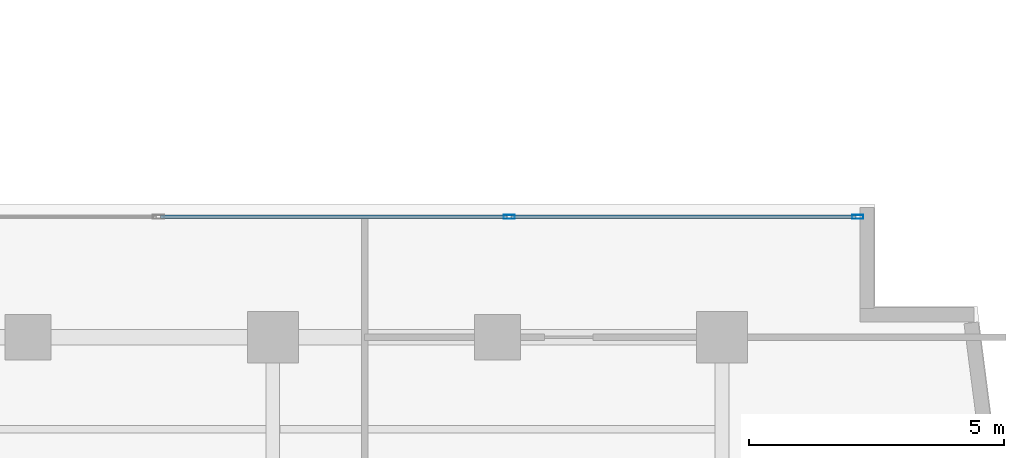
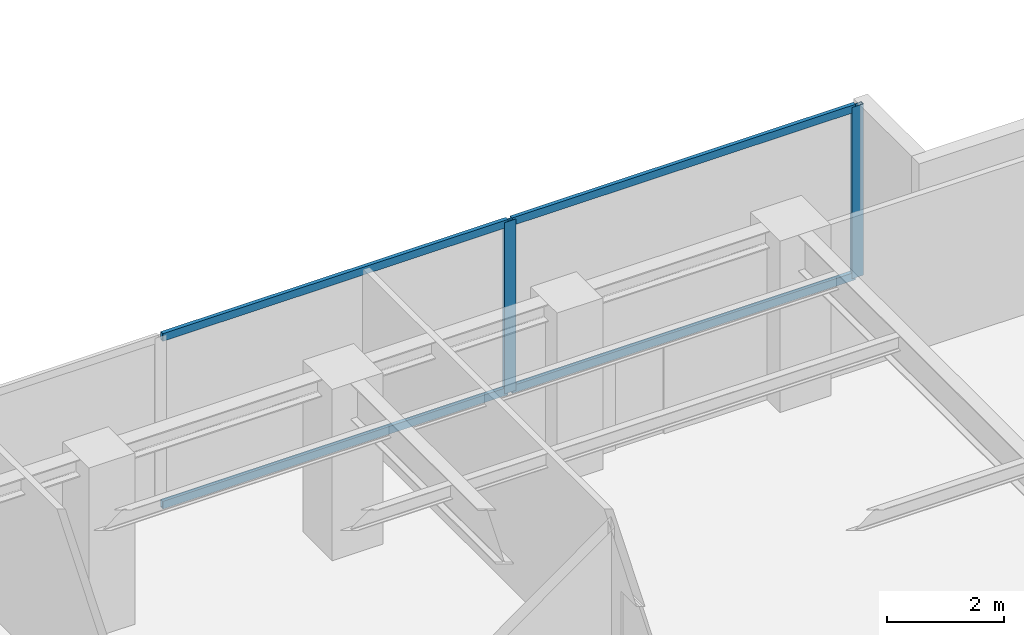
# One storey, part 12 of 22: 6 members, 1 element without a shape of its own.
"""IFC4 building model written with IfcOpenShell, lengths in metres."""

from ifc_helpers import new_model, si_unit, direction, frame, origin, origin_with_axes, origin_2d, place, context, subcontext, project, spatial, hollow_rectangle, extrude, source, transform, mapped, material, layer, layer_set, material_profile, profile_set, type_object, element, aggregate, save


model = new_model("IFC4")

# Units and contexts
model_context = context("Model", 3, precision=1e-05, world=origin(), true_north=direction((0.0, 1.0)))
body_context = subcontext(model_context, "Body", "Model", "MODEL_VIEW")
ifc_project = project(units=[si_unit("LENGTHUNIT", "METRE"), si_unit("AREAUNIT", "SQUARE_METRE"), si_unit("VOLUMEUNIT", "CUBIC_METRE"), si_unit("PLANEANGLEUNIT", "RADIAN"), si_unit("MASSUNIT", "GRAM", prefix="KILO")], contexts=[model_context])

# Site, building, storey
site_placement = place(None, origin())
site = spatial("IfcSite", under=ifc_project, at=site_placement, CompositionType="ELEMENT")
building_placement = place(site_placement, origin())
building = spatial("IfcBuilding", under=site, at=building_placement, Name="Kolvaren Waterfront Exchange", CompositionType="ELEMENT")
storey_placement = place(building_placement, frame((0.0, 0.0, 246.300048828125)))
storey = spatial("IfcBuildingStorey", under=building, at=storey_placement, Name="L63", CompositionType="ELEMENT", Elevation=246.300048828125)

# Curtain wall, members
ifc_material_1 = material(Name="Anodised bronze aluminium 6063-T6", Category="aluminium")
ifc_layer = layer(ifc_material_1, 0.219970703125, Name="Anodised bronze aluminium 6063-T6")
ifc_layer_set = layer_set([ifc_layer], Name="Anodised bronze aluminium 6063-T6")
curtain_wall_type = type_object("IfcCurtainWallType", Name="ARC-CW-SYS1", PredefinedType="USERDEFINED", material=ifc_layer_set)
curtain_wall_placement = place(storey_placement, origin())
curtain_wall = element("IfcCurtainWall", 1, at=curtain_wall_placement, inside=storey, type_object=curtain_wall_type, Name="L63 stick curtain wall CW1 (CW-L63-EN)", ObjectType="STICK CURTAIN WALL", PredefinedType="USERDEFINED")
ifc_material_2 = material(Name="Anodised aluminium 6063-T6", Category="aluminium")
ifc_material_profile_1 = material_profile(ifc_material_2, hollow_rectangle(XDim=0.080078125, YDim=0.219970703125, WallThickness=0.0048828125, at=origin_2d()), Name="ALU-MUL-220x80x5")
ifc_profile_set_1 = profile_set([ifc_material_profile_1], Name="Anodised aluminium 6063-T6")
member_type_1 = type_object("IfcMemberType", Name="ARC-CWM-220", PredefinedType="MULLION", material=ifc_profile_set_1)
shared_shape_1 = source(origin_with_axes(), body_context, "Body", "SweptSolid", [
    extrude(hollow_rectangle(XDim=0.080078125, YDim=0.219970703125, WallThickness=0.0048828125, at=origin_2d()), origin(), (0.0, 0.0, 1.0), 3.56005859375),
])
member_1_placement = place(storey_placement, frame((41.429931640625, 19.760009765625, 0.0), z_axis=(0.0, 0.0, 1.0), x_axis=(0.0, 1.0, 0.0)))
member_1 = element("IfcMember", 2, at=member_1_placement, type_object=member_type_1, Name="CW1 mullion 3", PredefinedType="MULLION", context=body_context, shape_type="MappedRepresentation", body=[
    mapped(shared_shape_1, transform((0.0, 0.0, 0.0), x_axis=(1.0, 0.0, 0.0), y_axis=(0.0, 1.0, 0.0), z_axis=(0.0, 0.0, 1.0), scale=1.0)),
])
member_2_placement = place(storey_placement, frame((48.260009765625, 19.760009765625, 0.0), z_axis=(0.0, 0.0, 1.0), x_axis=(0.0, 1.0, 0.0)))
member_2 = element("IfcMember", 3, at=member_2_placement, type_object=member_type_1, Name="CW1 mullion 4", PredefinedType="MULLION", context=body_context, shape_type="MappedRepresentation", body=[
    mapped(shared_shape_1, transform((0.0, 0.0, 0.0), x_axis=(1.0, 0.0, 0.0), y_axis=(0.0, 1.0, 0.0), z_axis=(0.0, 0.0, 1.0), scale=1.0)),
])
ifc_material_profile_2 = material_profile(ifc_material_2, hollow_rectangle(XDim=0.074951171875, YDim=0.159912109375, WallThickness=0.00439453125, at=origin_2d()), Name="ALU-TRN-160x75x4.5")
ifc_profile_set_2 = profile_set([ifc_material_profile_2], Name="Anodised aluminium 6063-T6")
member_type_2 = type_object("IfcMemberType", Name="ARC-CWT-160", PredefinedType="USERDEFINED", material=ifc_profile_set_2)
shared_shape_2 = source(origin_with_axes(), body_context, "Body", "SweptSolid", [
    extrude(hollow_rectangle(XDim=0.074951171875, YDim=0.159912109375, WallThickness=0.00439453125, at=origin_2d()), origin(), (0.0, 0.0, 1.0), 6.75),
])
member_3_placement = place(storey_placement, frame((41.469970703125, 19.760009765625, 0.037353515625), z_axis=(1.0, 0.0, 0.0), x_axis=(0.0, 1.0, 0.0)))
member_3 = element("IfcMember", 4, at=member_3_placement, type_object=member_type_2, Name="CW1 transom 3.1", ObjectType="TRANSOM", PredefinedType="USERDEFINED", context=body_context, shape_type="MappedRepresentation", body=[
    mapped(shared_shape_2, transform((0.0, 0.0, 0.0), x_axis=(1.0, 0.0, 0.0), y_axis=(0.0, 1.0, 0.0), z_axis=(0.0, 0.0, 1.0), scale=1.0)),
])
member_4_placement = place(storey_placement, frame((41.469970703125, 19.760009765625, 3.5224609375), z_axis=(1.0, 0.0, 0.0), x_axis=(0.0, 1.0, 0.0)))
member_4 = element("IfcMember", 5, at=member_4_placement, type_object=member_type_2, Name="CW1 transom 3.2", ObjectType="TRANSOM", PredefinedType="USERDEFINED", context=body_context, shape_type="MappedRepresentation", body=[
    mapped(shared_shape_2, transform((0.0, 0.0, 0.0), x_axis=(1.0, 0.0, 0.0), y_axis=(0.0, 1.0, 0.0), z_axis=(0.0, 0.0, 1.0), scale=1.0)),
])
shared_shape_3 = source(origin_with_axes(), body_context, "Body", "SweptSolid", [
    extrude(hollow_rectangle(XDim=0.074951171875, YDim=0.159912109375, WallThickness=0.00439453125, at=origin_2d()), origin(), (0.0, 0.0, 1.0), 6.789794921875),
])
member_5_placement = place(storey_placement, frame((34.60009765625, 19.760009765625, 0.037353515625), z_axis=(1.0, 0.0, 0.0), x_axis=(0.0, 1.0, 0.0)))
member_5 = element("IfcMember", 6, at=member_5_placement, type_object=member_type_2, Name="CW1 transom 2.1", ObjectType="TRANSOM", PredefinedType="USERDEFINED", context=body_context, shape_type="MappedRepresentation", body=[
    mapped(shared_shape_3, transform((0.0, 0.0, 0.0), x_axis=(1.0, 0.0, 0.0), y_axis=(0.0, 1.0, 0.0), z_axis=(0.0, 0.0, 1.0), scale=1.0)),
])
member_6_placement = place(storey_placement, frame((34.60009765625, 19.760009765625, 3.5224609375), z_axis=(1.0, 0.0, 0.0), x_axis=(0.0, 1.0, 0.0)))
member_6 = element("IfcMember", 7, at=member_6_placement, type_object=member_type_2, Name="CW1 transom 2.2", ObjectType="TRANSOM", PredefinedType="USERDEFINED", context=body_context, shape_type="MappedRepresentation", body=[
    mapped(shared_shape_3, transform((0.0, 0.0, 0.0), x_axis=(1.0, 0.0, 0.0), y_axis=(0.0, 1.0, 0.0), z_axis=(0.0, 0.0, 1.0), scale=1.0)),
])
aggregate(curtain_wall, [member_1, member_2, member_5, member_6, member_3, member_4])

save(model, "model.ifc")
